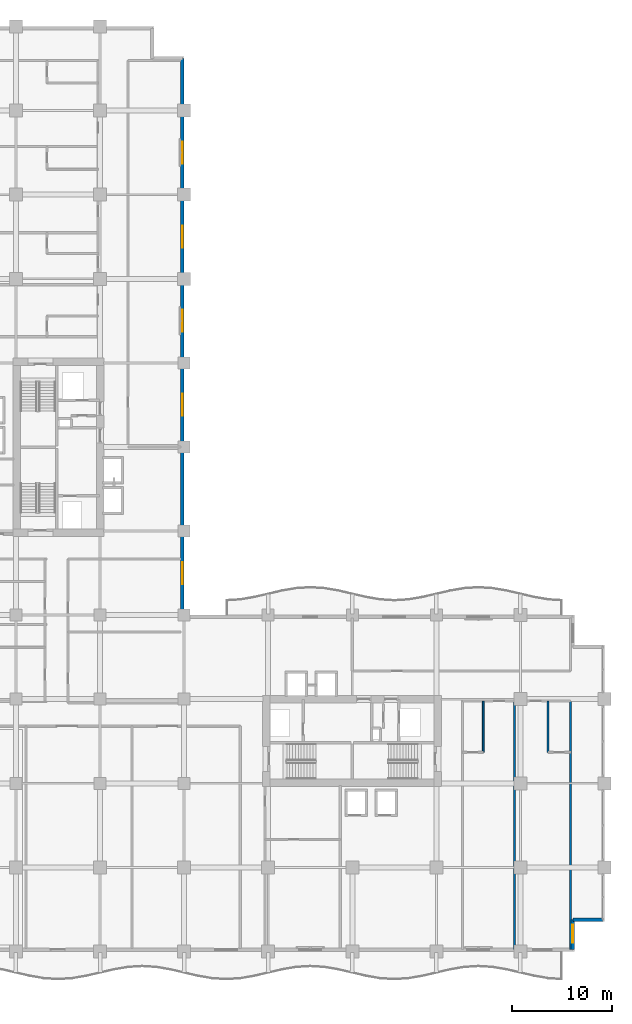
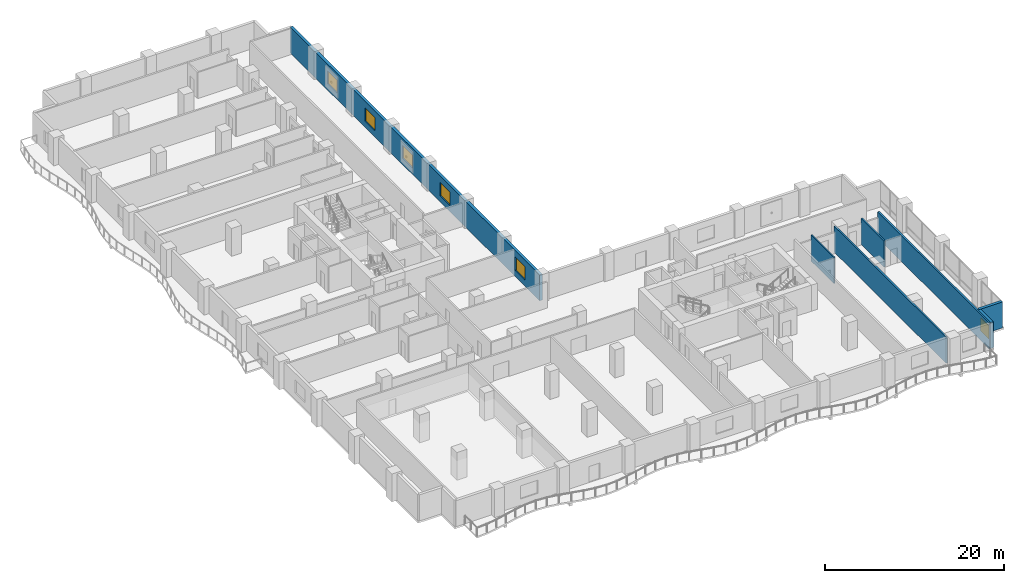
# One storey, part 14 of 24: 7 walls, 6 windows, 6 openings.
"""IFC4 building model written with IfcOpenShell, lengths in metres."""

from ifc_helpers import new_model, si_unit, direction, frame, frame_2d, origin, place, context, subcontext, project, spatial, rectangle, extrude, material, layer, layer_set, type_object, element, fill, save


model = new_model("IFC4")

# Units and contexts
model_context = context("Model", 3, precision=1e-05, world=origin(), true_north=direction((0.0, 1.0)))
body_context = subcontext(model_context, "Body", "Model", "MODEL_VIEW")
ifc_project = project(units=[si_unit("LENGTHUNIT", "METRE"), si_unit("AREAUNIT", "SQUARE_METRE"), si_unit("VOLUMEUNIT", "CUBIC_METRE"), si_unit("PLANEANGLEUNIT", "RADIAN"), si_unit("MASSUNIT", "GRAM", prefix="KILO")], contexts=[model_context])

# Site, building, storey
site_placement = place(None, origin())
site = spatial("IfcSite", under=ifc_project, at=site_placement, CompositionType="ELEMENT")
building_placement = place(site_placement, origin())
building = spatial("IfcBuilding", under=site, at=building_placement, Name="Koriwani Terraces Tower", CompositionType="ELEMENT")
storey_placement = place(building_placement, frame((0.0, 0.0, 149.39990234375)))
storey = spatial("IfcBuildingStorey", under=building, at=storey_placement, Name="L36", CompositionType="ELEMENT", Elevation=149.39990234375)

# Walls
ifc_material_1 = material(Name="Autoclaved Cellular Concrete Blockwork", Category="masonry")
ifc_layer_1 = layer(ifc_material_1, 0.219970703125, Name="Autoclaved Cellular Concrete Blockwork")
ifc_layer_set_1 = layer_set([ifc_layer_1], Name="Autoclaved Cellular Concrete Blockwork")
wall_type_1 = type_object("IfcWallType", Name="WALL_DEMISING_220", PredefinedType="PARTITIONING", material=ifc_layer_set_1)
for number, where, z_axis, x_axis, name in (
    (1, (66.60009765625, 0.199951171875, 0.0), (0.0, 0.0, 1.0), (0.0, 1.0, 0.0), "L36 Interior Wall WDEM-L36-SE-1"),
    (2, (72.199951171875, 0.199951171875, 0.0), (0.0, 0.0, 1.0), (0.0, 1.0, 0.0), "L36 Interior Wall WDEME-L36-SE"),
):
    element("IfcWall", number, at=place(storey_placement, frame(where, z_axis=z_axis, x_axis=x_axis)), inside=storey, type_object=wall_type_1, Name=name, PredefinedType="PARTITIONING", context=body_context, shape_type="SweptSolid", body=[
        extrude(rectangle(XDim=24.97998046875, YDim=0.219970703125, at=frame_2d((12.489990234375, 0.0))), origin(), (0.0, 0.0, 1.0), 3.550048828125),
    ])

# Wall, openings, windows
ifc_material_2 = material(Name="Concrete C50/60", Category="concrete")
ifc_layer_2 = layer(ifc_material_2, 0.35009765625, Name="Concrete C50/60")
ifc_layer_set_2 = layer_set([ifc_layer_2], Name="Concrete C50/60")
wall_type_2 = type_object("IfcWallType", Name="WALL_EXT_BRUTALIST_350", PredefinedType="STANDARD", material=ifc_layer_set_2)
wall_1_placement = place(storey_placement, frame((33.425048828125, 89.22509765625, 0.0), z_axis=(0.0, 0.0, 1.0), x_axis=(0.0, -1.0, 0.0)))
wall_1 = element("IfcWall", 3, at=wall_1_placement, inside=storey, type_object=wall_type_2, Name="L36 Fair-Faced Brutalist Exterior Wall (NW_IN)", PredefinedType="STANDARD", context=body_context, shape_type="SweptSolid", body=[
    extrude(rectangle(XDim=55.800048828125, YDim=0.35009765625, at=frame_2d((27.89990234375, 0.0))), origin(), (0.0, 0.0, 1.0), 3.550048828125),
])
opening_1_placement = place(wall_1_placement, frame((50.324951171875, 0.0, 0.85009765625)))
opening_1 = element("IfcOpeningElement", 4, at=opening_1_placement, cuts=wall_1, Name="Opening W-01", PredefinedType="OPENING", context=body_context, shape_type="SweptSolid", body=[
    extrude(rectangle(XDim=2.199951171875, YDim=1.800048828125, at=frame_2d((1.10009765625, 0.89990234375))), frame((0.0, 0.18505859375, 0.0), z_axis=(0.0, -1.0, 0.0), x_axis=(1.0, 0.0, 0.0)), (0.0, 0.0, 1.0), 0.3701171875),
])
opening_2_placement = place(wall_1_placement, frame((33.52490234375, 0.0, 0.85009765625)))
opening_2 = element("IfcOpeningElement", 5, at=opening_2_placement, cuts=wall_1, Name="Opening W-01", PredefinedType="OPENING", context=body_context, shape_type="SweptSolid", body=[
    extrude(rectangle(XDim=2.199951171875, YDim=1.800048828125, at=frame_2d((1.10009765625, 0.89990234375))), frame((0.0, 0.18505859375, 0.0), z_axis=(0.0, -1.0, 0.0), x_axis=(1.0, 0.0, 0.0)), (0.0, 0.0, 1.0), 0.3701171875),
])
opening_3_placement = place(wall_1_placement, frame((25.125, 0.0, 0.85009765625)))
opening_3 = element("IfcOpeningElement", 6, at=opening_3_placement, cuts=wall_1, Name="Opening W-01", PredefinedType="OPENING", context=body_context, shape_type="SweptSolid", body=[
    extrude(rectangle(XDim=2.199951171875, YDim=1.800048828125, at=frame_2d((1.10009765625, 0.89990234375))), frame((0.0, 0.18505859375, 0.0), z_axis=(0.0, -1.0, 0.0), x_axis=(1.0, 0.0, 0.0)), (0.0, 0.0, 1.0), 0.3701171875),
])
opening_4_placement = place(wall_1_placement, frame((16.72509765625, 0.0, 0.85009765625)))
opening_4 = element("IfcOpeningElement", 7, at=opening_4_placement, cuts=wall_1, Name="Opening W-01", PredefinedType="OPENING", context=body_context, shape_type="SweptSolid", body=[
    extrude(rectangle(XDim=2.199951171875, YDim=1.800048828125, at=frame_2d((1.10009765625, 0.89990234375))), frame((0.0, 0.18505859375, 0.0), z_axis=(0.0, -1.0, 0.0), x_axis=(1.0, 0.0, 0.0)), (0.0, 0.0, 1.0), 0.3701171875),
])
opening_5_placement = place(wall_1_placement, frame((8.324951171875, 0.0, 0.85009765625)))
opening_5 = element("IfcOpeningElement", 8, at=opening_5_placement, cuts=wall_1, Name="Opening W-01", PredefinedType="OPENING", context=body_context, shape_type="SweptSolid", body=[
    extrude(rectangle(XDim=2.199951171875, YDim=1.800048828125, at=frame_2d((1.10009765625, 0.89990234375))), frame((0.0, 0.18505859375, 0.0), z_axis=(0.0, -1.0, 0.0), x_axis=(1.0, 0.0, 0.0)), (0.0, 0.0, 1.0), 0.3701171875),
])
ifc_material_3 = material(Name="Tempered Laminated Low-E Glass", Category="glass")
window_type_1 = type_object("IfcWindowType", Name="WIN_HOTEL_STD_2200X1800", PartitioningType="DOUBLE_PANEL_VERTICAL", PredefinedType="WINDOW", material=ifc_material_3)
window_1_placement = place(opening_1_placement, origin())
window_1 = element("IfcWindow", 9, at=window_1_placement, inside=storey, type_object=window_type_1, Name="L36 Exterior Window (NW_IN-2)", OverallHeight=1.800048828125, OverallWidth=2.199951171875, PartitioningType="SINGLE_PANEL", PredefinedType="WINDOW", context=body_context, shape_type="SweptSolid", body=[
    extrude(rectangle(XDim=2.199951171875, YDim=1.800048828125, at=frame_2d((1.10009765625, 0.89990234375))), frame((0.0, 0.030029296875, 0.0), z_axis=(0.0, -1.0, 0.0), x_axis=(1.0, 0.0, 0.0)), (0.0, 0.0, 1.0), 0.06005859375),
])
fill(opening_1, window_1)
window_2_placement = place(opening_2_placement, origin())
window_2 = element("IfcWindow", 10, at=window_2_placement, inside=storey, type_object=window_type_1, Name="L36 Exterior Window (NW_IN-8)", OverallHeight=1.800048828125, OverallWidth=2.199951171875, PartitioningType="SINGLE_PANEL", PredefinedType="WINDOW", context=body_context, shape_type="SweptSolid", body=[
    extrude(rectangle(XDim=2.199951171875, YDim=1.800048828125, at=frame_2d((1.10009765625, 0.89990234375))), frame((0.0, 0.030029296875, 0.0), z_axis=(0.0, -1.0, 0.0), x_axis=(1.0, 0.0, 0.0)), (0.0, 0.0, 1.0), 0.06005859375),
])
fill(opening_2, window_2)
window_3_placement = place(opening_3_placement, origin())
window_3 = element("IfcWindow", 11, at=window_3_placement, inside=storey, type_object=window_type_1, Name="L36 Exterior Window (NW_IN-11)", OverallHeight=1.800048828125, OverallWidth=2.199951171875, PartitioningType="SINGLE_PANEL", PredefinedType="WINDOW", context=body_context, shape_type="SweptSolid", body=[
    extrude(rectangle(XDim=2.199951171875, YDim=1.800048828125, at=frame_2d((1.10009765625, 0.89990234375))), frame((0.0, 0.030029296875, 0.0), z_axis=(0.0, -1.0, 0.0), x_axis=(1.0, 0.0, 0.0)), (0.0, 0.0, 1.0), 0.06005859375),
])
fill(opening_3, window_3)
window_4_placement = place(opening_4_placement, origin())
window_4 = element("IfcWindow", 12, at=window_4_placement, inside=storey, type_object=window_type_1, Name="L36 Exterior Window (NW_IN-14)", OverallHeight=1.800048828125, OverallWidth=2.199951171875, PartitioningType="SINGLE_PANEL", PredefinedType="WINDOW", context=body_context, shape_type="SweptSolid", body=[
    extrude(rectangle(XDim=2.199951171875, YDim=1.800048828125, at=frame_2d((1.10009765625, 0.89990234375))), frame((0.0, 0.030029296875, 0.0), z_axis=(0.0, -1.0, 0.0), x_axis=(1.0, 0.0, 0.0)), (0.0, 0.0, 1.0), 0.06005859375),
])
fill(opening_4, window_4)
window_5_placement = place(opening_5_placement, origin())
window_5 = element("IfcWindow", 13, at=window_5_placement, inside=storey, type_object=window_type_1, Name="L36 Exterior Window (NW_IN-17)", OverallHeight=1.800048828125, OverallWidth=2.199951171875, PartitioningType="SINGLE_PANEL", PredefinedType="WINDOW", context=body_context, shape_type="SweptSolid", body=[
    extrude(rectangle(XDim=2.199951171875, YDim=1.800048828125, at=frame_2d((1.10009765625, 0.89990234375))), frame((0.0, 0.030029296875, 0.0), z_axis=(0.0, -1.0, 0.0), x_axis=(1.0, 0.0, 0.0)), (0.0, 0.0, 1.0), 0.06005859375),
])
fill(opening_5, window_5)

# Wall
wall_2_placement = place(storey_placement, frame((75.425048828125, 3.175048828125, 0.0), z_axis=(0.0, 0.0, 1.0), x_axis=(-1.0, 0.0, 0.0)))
element("IfcWall", 14, at=wall_2_placement, inside=storey, type_object=wall_type_2, Name="L36 Fair-Faced Brutalist Exterior Wall (N13)", PredefinedType="STANDARD", context=body_context, shape_type="SweptSolid", body=[
    extrude(rectangle(XDim=3.0, YDim=0.35009765625, at=frame_2d((1.5, 0.0))), origin(), (0.0, 0.0, 1.0), 3.550048828125),
])

# Wall, opening, window
wall_3_placement = place(storey_placement, frame((72.425048828125, 3.175048828125, 0.0), z_axis=(0.0, 0.0, 1.0), x_axis=(0.0, -1.0, 0.0)))
wall_3 = element("IfcWall", 15, at=wall_3_placement, inside=storey, type_object=wall_type_2, Name="L36 Fair-Faced Brutalist Exterior Wall (N14)", PredefinedType="STANDARD", context=body_context, shape_type="SweptSolid", body=[
    extrude(rectangle(XDim=3.0, YDim=0.35009765625, at=frame_2d((1.5, 0.0))), origin(), (0.0, 0.0, 1.0), 3.550048828125),
])
opening_6_placement = place(wall_3_placement, frame((0.5224609375, 0.0, 0.85009765625)))
opening_6 = element("IfcOpeningElement", 16, at=opening_6_placement, cuts=wall_3, Name="Opening W-04", PredefinedType="OPENING", context=body_context, shape_type="SweptSolid", body=[
    extrude(rectangle(XDim=1.800048828125, YDim=1.800048828125, at=frame_2d((0.89990234375, 0.89990234375))), frame((0.0, 0.18505859375, 0.0), z_axis=(0.0, -1.0, 0.0), x_axis=(1.0, 0.0, 0.0)), (0.0, 0.0, 1.0), 0.3701171875),
])
window_type_2 = type_object("IfcWindowType", Name="WIN_RES_BED_1800X1800", PartitioningType="DOUBLE_PANEL_VERTICAL", PredefinedType="WINDOW", material=ifc_material_3)
window_6_placement = place(opening_6_placement, origin())
window_6 = element("IfcWindow", 17, at=window_6_placement, inside=storey, type_object=window_type_2, Name="L36 Exterior Window (N14-R49)", OverallHeight=1.800048828125, OverallWidth=1.800048828125, PartitioningType="SINGLE_PANEL", PredefinedType="WINDOW", context=body_context, shape_type="SweptSolid", body=[
    extrude(rectangle(XDim=1.800048828125, YDim=1.800048828125, at=frame_2d((0.89990234375, 0.89990234375))), frame((0.0, 0.030029296875, 0.0), z_axis=(0.0, -1.0, 0.0), x_axis=(1.0, 0.0, 0.0)), (0.0, 0.0, 1.0), 0.06005859375),
])
fill(opening_6, window_6)

# Walls
ifc_material_4 = material(Name="Fire-Rated Acoustic Gypsum Partition", Category="masonry")
ifc_layer_3 = layer(ifc_material_4, 0.179931640625, Name="Fire-Rated Acoustic Gypsum Partition")
ifc_layer_set_3 = layer_set([ifc_layer_3], Name="Fire-Rated Acoustic Gypsum Partition")
wall_type_3 = type_object("IfcWallType", Name="WALL_PLUMBING_180", PredefinedType="PLUMBINGWALL", material=ifc_layer_set_3)
for number, where, z_axis, x_axis, name in (
    (18, (63.47998046875, 19.89990234375, 0.0), (0.0, 0.0, 1.0), (0.0, 1.0, 0.0), "L36 Interior Wall WBTH2-L36-SE-0"),
    (19, (69.9599609375, 19.89990234375, 0.0), (0.0, 0.0, 1.0), (0.0, 1.0, 0.0), "L36 Interior Wall WBTH2-L36-SE-1"),
):
    element("IfcWall", number, at=place(storey_placement, frame(where, z_axis=z_axis, x_axis=x_axis)), inside=storey, type_object=wall_type_3, Name=name, PredefinedType="PLUMBINGWALL", context=body_context, shape_type="SweptSolid", body=[
        extrude(rectangle(XDim=5.10009765625, YDim=0.179931640625, at=frame_2d((2.550048828125, 0.0))), origin(), (0.0, 0.0, 1.0), 3.550048828125),
    ])

save(model, "model.ifc")
